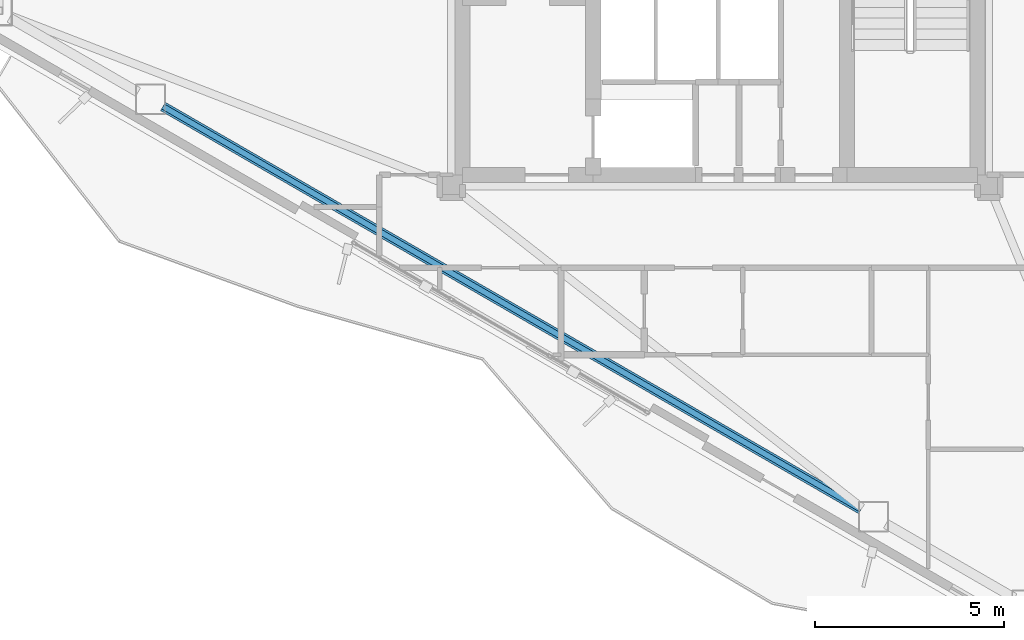
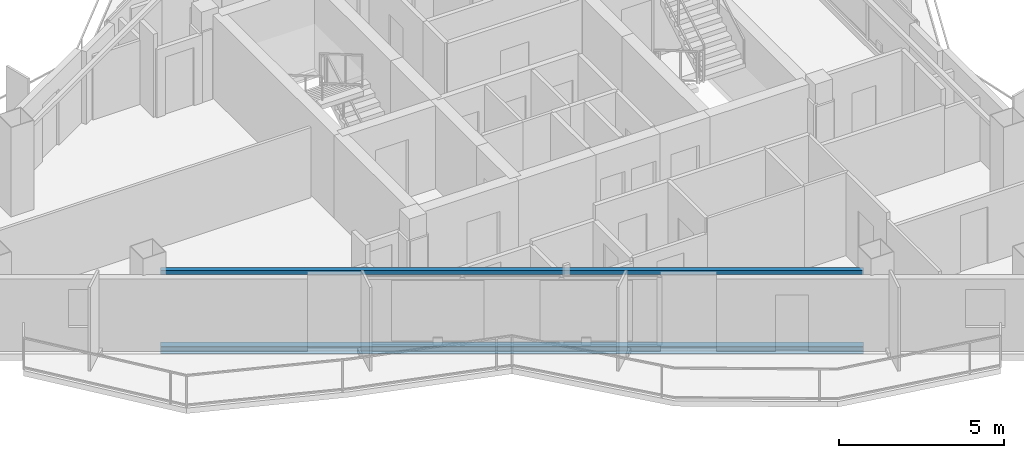
# One storey, part 3 of 22: 2 beams.
"""IFC4 building model written with IfcOpenShell, lengths in metres."""

import ifcopenshell
import ifcopenshell.guid

model = None  # the IFC model being written
_history = None  # IfcOwnerHistory: only IFC2X3 demands one
_inside = {}  # id of a spatial element -> (the spatial element, [elements in it])
_under = {}  # id of a project, library or spatial element -> (it, [spatial elements below it])
_declared = {}  # id of a project -> (the project, [libraries it declares])
_typed = {}  # id of a type object -> (the type object, [elements of that type])
_made_of = {}  # id of a material, layer set ... -> (it, [elements and type objects made of it])


def new_model(schema):
    """Start an empty IFC model of exactly this schema.

    Asked for "IFC4X3", IfcOpenShell would pick the latest addendum, in which some entities
    have other attributes; the version numbers below select the first issue.
    IFC2X3 requires an IfcOwnerHistory on every rooted entity: one is made here for all.
    """
    global model, _history
    if schema == "IFC4X3":
        model = ifcopenshell.file(schema_version=(4, 3, 0, 0))
    else:
        model = ifcopenshell.file(schema=schema)
    _inside.clear()
    _under.clear()
    _declared.clear()
    _typed.clear()
    _made_of.clear()
    _history = None
    if model.schema == "IFC2X3":
        org = make("IfcOrganization", Name="unknown")
        user = make(
            "IfcPersonAndOrganization",
            ThePerson=make("IfcPerson", FamilyName="unknown"),
            TheOrganization=org,
        )
        app = make(
            "IfcApplication",
            ApplicationDeveloper=org,
            Version="unknown",
            ApplicationFullName="unknown",
            ApplicationIdentifier="unknown",
        )
        _history = make(
            "IfcOwnerHistory",
            OwningUser=user,
            OwningApplication=app,
            ChangeAction="ADDED",
            CreationDate=0,
        )
    return model


def make(cls, **values):
    """One entity of the class cls with the attributes given. An attribute that is None is left unset."""
    return model.create_entity(
        cls, **{name: value for name, value in values.items() if value is not None}
    )


def rooted(cls, **values):
    """An entity with a GlobalId (a new one), such as an element, a storey or a relation."""
    return make(cls, GlobalId=ifcopenshell.guid.new(), OwnerHistory=_history, **values)


def si_unit(unit_type, name, prefix=None):
    """IfcSIUnit, for example si_unit("LENGTHUNIT", "METRE", prefix="MILLI")."""
    return make("IfcSIUnit", UnitType=unit_type, Prefix=prefix, Name=name)


def assignment(units):
    """IfcUnitAssignment: the units of a project."""
    return None if units is None else make("IfcUnitAssignment", Units=units)


def point(xyz):
    """IfcCartesianPoint."""
    return None if xyz is None else make("IfcCartesianPoint", Coordinates=xyz)


def direction(xyz):
    """IfcDirection."""
    return None if xyz is None else make("IfcDirection", DirectionRatios=xyz)


def frame(location, z_axis=None, x_axis=None):
    """IfcAxis2Placement3D, a coordinate frame: its origin and axes. An axis left out is left unset."""
    return make(
        "IfcAxis2Placement3D",
        Location=point(location),
        Axis=direction(z_axis),
        RefDirection=direction(x_axis),
    )


def frame_2d(location, x_axis=None):
    """IfcAxis2Placement2D, a coordinate frame in the plane: its origin and x axis."""
    return make(
        "IfcAxis2Placement2D", Location=point(location), RefDirection=direction(x_axis)
    )


def origin():
    """The frame at (0, 0, 0) with its axes left unset."""
    return frame((0.0, 0.0, 0.0))


def origin_2d():
    """The frame at (0, 0) in the plane with its x axis left unset."""
    return frame_2d((0.0, 0.0))


def place(relative_to, where):
    """IfcLocalPlacement: puts the frame where relative to a parent placement (None: the world)."""
    return make(
        "IfcLocalPlacement", PlacementRelTo=relative_to, RelativePlacement=where
    )


def context(
    kind, dimensions, precision=None, world=None, true_north=None, identifier=None
):
    """IfcGeometricRepresentationContext, for example the 3D "Model" context."""
    return make(
        "IfcGeometricRepresentationContext",
        ContextIdentifier=identifier,
        ContextType=kind,
        CoordinateSpaceDimension=dimensions,
        Precision=precision,
        WorldCoordinateSystem=world,
        TrueNorth=true_north,
    )


def subcontext(parent, identifier, kind, view, scale=None):
    """IfcGeometricRepresentationSubContext, for example "Body" below "Model"."""
    return make(
        "IfcGeometricRepresentationSubContext",
        ContextIdentifier=identifier,
        ContextType=kind,
        ParentContext=parent,
        TargetScale=scale,
        TargetView=view,
    )


def project(units=None, contexts=None):
    """IfcProject with its units and contexts."""
    return rooted(
        "IfcProject",
        Name="project",
        RepresentationContexts=contexts,
        UnitsInContext=assignment(units),
    )


def spatial(cls, under=None, at=None, **own):
    """A site, building, storey or space (cls), placed at a placement, below another one or the project."""
    s = rooted(cls, ObjectPlacement=at, **own)
    if under is not None:
        _under.setdefault(under.id(), (under, []))[1].append(s)
    return s


def profile(cls, at=None, kind="AREA", **sizes):
    """A parametric profile (cls). Its sizes go by their IFC names, for example OverallWidth=200.0."""
    return make(cls, ProfileType=kind, Position=at, **sizes)


def hollow_rectangle(**sizes):
    """IfcRectangleHollowProfileDef."""
    return profile("IfcRectangleHollowProfileDef", **sizes)


def i_section(**sizes):
    """IfcIShapeProfileDef."""
    return profile("IfcIShapeProfileDef", **sizes)


def extrude(swept, where, along, depth):
    """IfcExtrudedAreaSolid: the profile swept, set in the frame where, extruded along a direction by depth."""
    return make(
        "IfcExtrudedAreaSolid",
        SweptArea=swept,
        Position=where,
        ExtrudedDirection=direction(along),
        Depth=depth,
    )


def shape(context_of_items, identifier, shape_type, items):
    """IfcShapeRepresentation: the items that make up one representation, for example the "Body"."""
    return make(
        "IfcShapeRepresentation",
        ContextOfItems=context_of_items,
        RepresentationIdentifier=identifier,
        RepresentationType=shape_type,
        Items=items,
    )


def material(Name=None, Category=None):
    """IfcMaterial."""
    return make("IfcMaterial", Name=Name, Category=Category)


def material_profile(
    of_material, cross_section, Name=None, Category=None, Priority=None
):
    """IfcMaterialProfile: a cross section and its material."""
    return make(
        "IfcMaterialProfile",
        Name=Name,
        Material=of_material,
        Profile=cross_section,
        Priority=Priority,
        Category=Category,
    )


def profile_set(profiles, Name=None, composite=None):
    """IfcMaterialProfileSet."""
    return make(
        "IfcMaterialProfileSet",
        Name=Name,
        MaterialProfiles=profiles,
        CompositeProfile=composite,
    )


def made_of(thing, what):
    """Note that an element or type object is made of a material, layer set ...; save() writes the relation."""
    if what is not None:
        _made_of.setdefault(what.id(), (what, []))[1].append(thing)
    return thing


def type_object(cls, material=None, **own):
    """A type object (cls), such as IfcWallType, which elements share."""
    return made_of(rooted(cls, **own), material)


def element(
    cls,
    number,
    at=None,
    inside=None,
    cuts=None,
    type_object=None,
    material=None,
    context=None,
    identifier="Body",
    shape_type=None,
    held_by="IfcProductDefinitionShape",
    body=None,
    shapes=None,
    **own,
):
    """One element of the class cls, such as IfcWall. Its Tag is "e" and its number.

    at: its placement. inside: the storey or other place that contains it. cuts: it is an
    opening in that element (IfcRelVoidsElement). A single representation is given by context,
    identifier, shape_type and body (its items); several are given by shapes. held_by: the class
    of the entity that holds the representations. save() writes the other relations.
    """
    e = rooted(cls, Tag="e%d" % number, ObjectPlacement=at, **own)
    if body is not None:
        shapes = [shape(context, identifier, shape_type, body)]
    if shapes is not None:
        e.Representation = make(held_by, Representations=shapes)
    if inside is not None:
        _inside.setdefault(inside.id(), (inside, []))[1].append(e)
    if cuts is not None:
        rooted(
            "IfcRelVoidsElement", RelatingBuildingElement=cuts, RelatedOpeningElement=e
        )
    if type_object is not None:
        _typed.setdefault(type_object.id(), (type_object, []))[1].append(e)
    return made_of(e, material)


def aggregate(whole, parts):
    """IfcRelAggregates: a whole, such as a stair, and the parts it consists of."""
    return rooted("IfcRelAggregates", RelatingObject=whole, RelatedObjects=parts)


def save(model, path):
    """Write the relations noted so far, then the file.

    IfcRelAggregates (storeys below a building ...), IfcRelContainedInSpatialStructure (elements
    in a storey), IfcRelDefinesByType, IfcRelAssociatesMaterial and IfcRelDeclares: one each for
    every whole, place, type object, material and project.
    """
    for whole, parts in _under.values():
        aggregate(whole, parts)
    for where, things in _inside.values():
        rooted(
            "IfcRelContainedInSpatialStructure",
            RelatedElements=things,
            RelatingStructure=where,
        )
    for kind, things in _typed.values():
        rooted("IfcRelDefinesByType", RelatedObjects=things, RelatingType=kind)
    for what, things in _made_of.values():
        rooted("IfcRelAssociatesMaterial", RelatedObjects=things, RelatingMaterial=what)
    for by, libraries in _declared.values():
        rooted("IfcRelDeclares", RelatingContext=by, RelatedDefinitions=libraries)
    model.write(path)


model = new_model("IFC4")

# Units and contexts
model_context = context("Model", 3, precision=1e-05, world=origin(), true_north=direction((0.0, 1.0)))
body_context = subcontext(model_context, "Body", "Model", "MODEL_VIEW")
ifc_project = project(units=[si_unit("LENGTHUNIT", "METRE"), si_unit("AREAUNIT", "SQUARE_METRE"), si_unit("VOLUMEUNIT", "CUBIC_METRE"), si_unit("PLANEANGLEUNIT", "RADIAN"), si_unit("MASSUNIT", "GRAM", prefix="KILO")], contexts=[model_context])

# Site, building, storey
site_placement = place(None, origin())
site = spatial("IfcSite", under=ifc_project, at=site_placement, CompositionType="ELEMENT")
building_placement = place(site_placement, origin())
building = spatial("IfcBuilding", under=site, at=building_placement, Name="Mersakhor Tower and Convention Hall", CompositionType="ELEMENT")
storey_placement = place(building_placement, frame((0.0, 0.0, 205.199951171875)))
storey = spatial("IfcBuildingStorey", under=building, at=storey_placement, Name="L57", CompositionType="ELEMENT", Elevation=205.199951171875)

# Beams
ifc_material_1 = material(Name="Steel S355", Category="steel")
ifc_material_profile_1 = material_profile(ifc_material_1, hollow_rectangle(XDim=0.14990234375, YDim=0.14990234375, WallThickness=0.010009765625, at=origin_2d()), Name="SHS 150x150x10")
ifc_profile_set_1 = profile_set([ifc_material_profile_1], Name="Steel S355")
beam_type_1 = type_object("IfcBeamType", Name="BM-GRT-SHS150", PredefinedType="USERDEFINED", material=ifc_profile_set_1)
beam_1_placement = place(storey_placement, frame((32.72265625, 11.912353515625, 2.47998046875), z_axis=(-0.866024569776, 0.500001444543, 0.0), x_axis=(-0.500001444543, -0.866024569776, 0.0)))
element("IfcBeam", 1, at=beam_1_placement, inside=storey, type_object=beam_type_1, Name="L57 Facade Support Girt GRT-F3", ObjectType="GIRT", PredefinedType="USERDEFINED", context=body_context, shape_type="SweptSolid", body=[
    extrude(hollow_rectangle(XDim=0.14990234375, YDim=0.14990234375, WallThickness=0.010009765625, at=origin_2d()), origin(), (0.0, 0.0, 1.0), 21.28564453125),
])
ifc_material_2 = material(Name="Steel S355", Category="steel")
ifc_material_profile_2 = material_profile(ifc_material_2, i_section(OverallWidth=0.25634765625, OverallDepth=0.26025390625, WebThickness=0.01025390625, FlangeThickness=0.017333984375, at=origin_2d()), Name="UC 254x254x89")
ifc_profile_set_2 = profile_set([ifc_material_profile_2], Name="Steel S355")
beam_type_2 = type_object("IfcBeamType", Name="BM-SPD-UC254", PredefinedType="SPANDREL", material=ifc_profile_set_2)
beam_2_placement = place(storey_placement, frame((32.72265625, 11.912353515625, -0.360107421875), z_axis=(-0.866024569776, 0.500001444543, 0.0), x_axis=(-0.500001444543, -0.866024569776, 0.0)))
element("IfcBeam", 2, at=beam_2_placement, inside=storey, type_object=beam_type_2, Name="L57 Perimeter Spandrel Beam SPB-10", PredefinedType="SPANDREL", context=body_context, shape_type="SweptSolid", body=[
    extrude(i_section(OverallWidth=0.25634765625, OverallDepth=0.26025390625, WebThickness=0.01025390625, FlangeThickness=0.017333984375, at=origin_2d()), origin(), (0.0, 0.0, 1.0), 21.28564453125),
])

save(model, "model.ifc")
